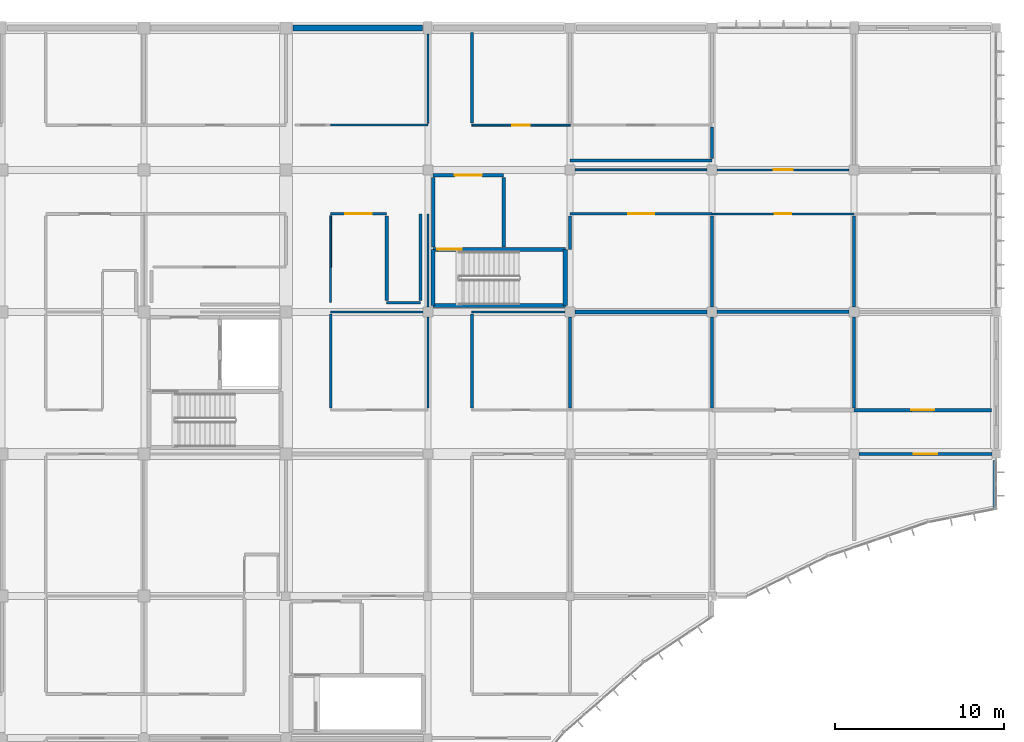
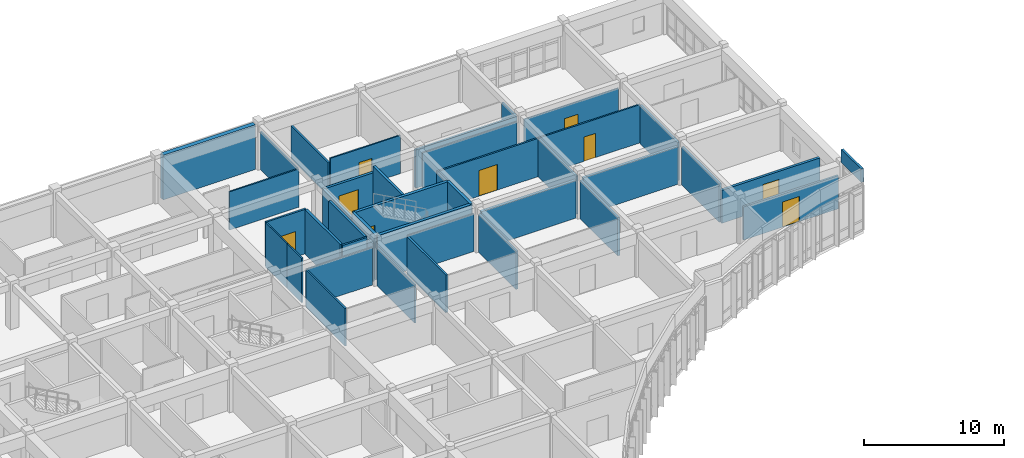
# One storey, part 99 of 119: 41 walls, 9 doors, 9 openings.
"""IFC4 building model written with IfcOpenShell, lengths in metres."""

import ifcopenshell
import ifcopenshell.guid

model = None  # the IFC model being written
_history = None  # IfcOwnerHistory: only IFC2X3 demands one
_inside = {}  # id of a spatial element -> (the spatial element, [elements in it])
_under = {}  # id of a project, library or spatial element -> (it, [spatial elements below it])
_declared = {}  # id of a project -> (the project, [libraries it declares])
_typed = {}  # id of a type object -> (the type object, [elements of that type])
_made_of = {}  # id of a material, layer set ... -> (it, [elements and type objects made of it])


def new_model(schema):
    """Start an empty IFC model of exactly this schema.

    Asked for "IFC4X3", IfcOpenShell would pick the latest addendum, in which some entities
    have other attributes; the version numbers below select the first issue.
    IFC2X3 requires an IfcOwnerHistory on every rooted entity: one is made here for all.
    """
    global model, _history
    if schema == "IFC4X3":
        model = ifcopenshell.file(schema_version=(4, 3, 0, 0))
    else:
        model = ifcopenshell.file(schema=schema)
    _inside.clear()
    _under.clear()
    _declared.clear()
    _typed.clear()
    _made_of.clear()
    _history = None
    if model.schema == "IFC2X3":
        org = make("IfcOrganization", Name="unknown")
        user = make(
            "IfcPersonAndOrganization",
            ThePerson=make("IfcPerson", FamilyName="unknown"),
            TheOrganization=org,
        )
        app = make(
            "IfcApplication",
            ApplicationDeveloper=org,
            Version="unknown",
            ApplicationFullName="unknown",
            ApplicationIdentifier="unknown",
        )
        _history = make(
            "IfcOwnerHistory",
            OwningUser=user,
            OwningApplication=app,
            ChangeAction="ADDED",
            CreationDate=0,
        )
    return model


def make(cls, **values):
    """One entity of the class cls with the attributes given. An attribute that is None is left unset."""
    return model.create_entity(
        cls, **{name: value for name, value in values.items() if value is not None}
    )


def rooted(cls, **values):
    """An entity with a GlobalId (a new one), such as an element, a storey or a relation."""
    return make(cls, GlobalId=ifcopenshell.guid.new(), OwnerHistory=_history, **values)


def si_unit(unit_type, name, prefix=None):
    """IfcSIUnit, for example si_unit("LENGTHUNIT", "METRE", prefix="MILLI")."""
    return make("IfcSIUnit", UnitType=unit_type, Prefix=prefix, Name=name)


def assignment(units):
    """IfcUnitAssignment: the units of a project."""
    return None if units is None else make("IfcUnitAssignment", Units=units)


def point(xyz):
    """IfcCartesianPoint."""
    return None if xyz is None else make("IfcCartesianPoint", Coordinates=xyz)


def direction(xyz):
    """IfcDirection."""
    return None if xyz is None else make("IfcDirection", DirectionRatios=xyz)


def frame(location, z_axis=None, x_axis=None):
    """IfcAxis2Placement3D, a coordinate frame: its origin and axes. An axis left out is left unset."""
    return make(
        "IfcAxis2Placement3D",
        Location=point(location),
        Axis=direction(z_axis),
        RefDirection=direction(x_axis),
    )


def frame_2d(location, x_axis=None):
    """IfcAxis2Placement2D, a coordinate frame in the plane: its origin and x axis."""
    return make(
        "IfcAxis2Placement2D", Location=point(location), RefDirection=direction(x_axis)
    )


def origin():
    """The frame at (0, 0, 0) with its axes left unset."""
    return frame((0.0, 0.0, 0.0))


def place(relative_to, where):
    """IfcLocalPlacement: puts the frame where relative to a parent placement (None: the world)."""
    return make(
        "IfcLocalPlacement", PlacementRelTo=relative_to, RelativePlacement=where
    )


def context(
    kind, dimensions, precision=None, world=None, true_north=None, identifier=None
):
    """IfcGeometricRepresentationContext, for example the 3D "Model" context."""
    return make(
        "IfcGeometricRepresentationContext",
        ContextIdentifier=identifier,
        ContextType=kind,
        CoordinateSpaceDimension=dimensions,
        Precision=precision,
        WorldCoordinateSystem=world,
        TrueNorth=true_north,
    )


def subcontext(parent, identifier, kind, view, scale=None):
    """IfcGeometricRepresentationSubContext, for example "Body" below "Model"."""
    return make(
        "IfcGeometricRepresentationSubContext",
        ContextIdentifier=identifier,
        ContextType=kind,
        ParentContext=parent,
        TargetScale=scale,
        TargetView=view,
    )


def project(units=None, contexts=None):
    """IfcProject with its units and contexts."""
    return rooted(
        "IfcProject",
        Name="project",
        RepresentationContexts=contexts,
        UnitsInContext=assignment(units),
    )


def spatial(cls, under=None, at=None, **own):
    """A site, building, storey or space (cls), placed at a placement, below another one or the project."""
    s = rooted(cls, ObjectPlacement=at, **own)
    if under is not None:
        _under.setdefault(under.id(), (under, []))[1].append(s)
    return s


def profile(cls, at=None, kind="AREA", **sizes):
    """A parametric profile (cls). Its sizes go by their IFC names, for example OverallWidth=200.0."""
    return make(cls, ProfileType=kind, Position=at, **sizes)


def rectangle(**sizes):
    """IfcRectangleProfileDef."""
    return profile("IfcRectangleProfileDef", **sizes)


def extrude(swept, where, along, depth):
    """IfcExtrudedAreaSolid: the profile swept, set in the frame where, extruded along a direction by depth."""
    return make(
        "IfcExtrudedAreaSolid",
        SweptArea=swept,
        Position=where,
        ExtrudedDirection=direction(along),
        Depth=depth,
    )


def shape(context_of_items, identifier, shape_type, items):
    """IfcShapeRepresentation: the items that make up one representation, for example the "Body"."""
    return make(
        "IfcShapeRepresentation",
        ContextOfItems=context_of_items,
        RepresentationIdentifier=identifier,
        RepresentationType=shape_type,
        Items=items,
    )


def material(Name=None, Category=None):
    """IfcMaterial."""
    return make("IfcMaterial", Name=Name, Category=Category)


def layer(
    of_material, thickness, ventilated=None, Name=None, Category=None, Priority=None
):
    """IfcMaterialLayer: one layer of a wall or slab, of a material (None: an air gap)."""
    return make(
        "IfcMaterialLayer",
        Material=of_material,
        LayerThickness=thickness,
        IsVentilated=ventilated,
        Name=Name,
        Category=Category,
        Priority=Priority,
    )


def layer_set(layers, Name=None):
    """IfcMaterialLayerSet."""
    return make("IfcMaterialLayerSet", MaterialLayers=layers, LayerSetName=Name)


def made_of(thing, what):
    """Note that an element or type object is made of a material, layer set ...; save() writes the relation."""
    if what is not None:
        _made_of.setdefault(what.id(), (what, []))[1].append(thing)
    return thing


def type_object(cls, material=None, **own):
    """A type object (cls), such as IfcWallType, which elements share."""
    return made_of(rooted(cls, **own), material)


def element(
    cls,
    number,
    at=None,
    inside=None,
    cuts=None,
    type_object=None,
    material=None,
    context=None,
    identifier="Body",
    shape_type=None,
    held_by="IfcProductDefinitionShape",
    body=None,
    shapes=None,
    **own,
):
    """One element of the class cls, such as IfcWall. Its Tag is "e" and its number.

    at: its placement. inside: the storey or other place that contains it. cuts: it is an
    opening in that element (IfcRelVoidsElement). A single representation is given by context,
    identifier, shape_type and body (its items); several are given by shapes. held_by: the class
    of the entity that holds the representations. save() writes the other relations.
    """
    e = rooted(cls, Tag="e%d" % number, ObjectPlacement=at, **own)
    if body is not None:
        shapes = [shape(context, identifier, shape_type, body)]
    if shapes is not None:
        e.Representation = make(held_by, Representations=shapes)
    if inside is not None:
        _inside.setdefault(inside.id(), (inside, []))[1].append(e)
    if cuts is not None:
        rooted(
            "IfcRelVoidsElement", RelatingBuildingElement=cuts, RelatedOpeningElement=e
        )
    if type_object is not None:
        _typed.setdefault(type_object.id(), (type_object, []))[1].append(e)
    return made_of(e, material)


def fill(opening, filler):
    """IfcRelFillsElement: the door or window that sits in an opening."""
    return rooted(
        "IfcRelFillsElement",
        RelatingOpeningElement=opening,
        RelatedBuildingElement=filler,
    )


def aggregate(whole, parts):
    """IfcRelAggregates: a whole, such as a stair, and the parts it consists of."""
    return rooted("IfcRelAggregates", RelatingObject=whole, RelatedObjects=parts)


def save(model, path):
    """Write the relations noted so far, then the file.

    IfcRelAggregates (storeys below a building ...), IfcRelContainedInSpatialStructure (elements
    in a storey), IfcRelDefinesByType, IfcRelAssociatesMaterial and IfcRelDeclares: one each for
    every whole, place, type object, material and project.
    """
    for whole, parts in _under.values():
        aggregate(whole, parts)
    for where, things in _inside.values():
        rooted(
            "IfcRelContainedInSpatialStructure",
            RelatedElements=things,
            RelatingStructure=where,
        )
    for kind, things in _typed.values():
        rooted("IfcRelDefinesByType", RelatedObjects=things, RelatingType=kind)
    for what, things in _made_of.values():
        rooted("IfcRelAssociatesMaterial", RelatedObjects=things, RelatingMaterial=what)
    for by, libraries in _declared.values():
        rooted("IfcRelDeclares", RelatingContext=by, RelatedDefinitions=libraries)
    model.write(path)


model = new_model("IFC4")

# Units and contexts
model_context = context("Model", 3, precision=1e-05, world=origin(), true_north=direction((0.0, 1.0)))
body_context = subcontext(model_context, "Body", "Model", "MODEL_VIEW")
ifc_project = project(units=[si_unit("LENGTHUNIT", "METRE"), si_unit("AREAUNIT", "SQUARE_METRE"), si_unit("VOLUMEUNIT", "CUBIC_METRE"), si_unit("PLANEANGLEUNIT", "RADIAN"), si_unit("MASSUNIT", "GRAM", prefix="KILO")], contexts=[model_context])

# Site, building, storey
site_placement = place(None, origin())
site = spatial("IfcSite", under=ifc_project, at=site_placement, CompositionType="ELEMENT")
building_placement = place(site_placement, origin())
building = spatial("IfcBuilding", under=site, at=building_placement, Name="Bramfleet General Hospital", CompositionType="ELEMENT")
storey_placement = place(building_placement, frame((0.0, 0.0, 14.39990234375)))
storey = spatial("IfcBuildingStorey", under=building, at=storey_placement, Name="L03", CompositionType="ELEMENT", Elevation=14.39990234375)

# Walls
ifc_material_1 = material(Name="Concrete C35/45", Category="concrete")
ifc_layer_1 = layer(ifc_material_1, 0.360107421875, Name="WT-EW-02")
ifc_layer_set_1 = layer_set([ifc_layer_1], Name="Concrete C35/45")
wall_type_1 = type_object("IfcWallType", Name="WT-EW-02", PredefinedType="SOLIDWALL", material=ifc_layer_set_1)
wall_1_placement = place(storey_placement, frame((126.425048828125, 117.60009765625, 0.0), z_axis=(0.0, 0.0, 1.0), x_axis=(1.0, 0.0, 0.0)))
element("IfcWall", 1, at=wall_1_placement, inside=storey, type_object=wall_type_1, Name="L03 North REI 90-M Party Wall 252", PredefinedType="SOLIDWALL", context=body_context, shape_type="SweptSolid", body=[
    extrude(rectangle(XDim=7.64990234375, YDim=0.360107421875, at=frame_2d((3.824951171875, 0.0))), origin(), (0.0, 0.0, 1.0), 3.900146484375),
])
ifc_layer_2 = layer(ifc_material_1, 0.219970703125, Name="WT-IW-01")
ifc_layer_set_2 = layer_set([ifc_layer_2], Name="Concrete C35/45")
wall_type_2 = type_object("IfcWallType", Name="WT-IW-01", PredefinedType="PARTITIONING", material=ifc_layer_set_2)
wall_2_placement = place(storey_placement, frame((143.094970703125, 100.800048828125, 0.0), z_axis=(0.0, 0.0, 1.0), x_axis=(1.0, 0.0, 0.0)))
element("IfcWall", 2, at=wall_2_placement, inside=storey, type_object=wall_type_2, Name="L03 Interior Partition IW-L03-2701", PredefinedType="PARTITIONING", context=body_context, shape_type="SweptSolid", body=[
    extrude(rectangle(XDim=7.81005859375, YDim=0.219970703125, at=frame_2d((3.905029296875, 0.0))), origin(), (0.0, 0.0, 1.0), 3.2900390625),
])
ifc_layer_3 = layer(ifc_material_1, 0.205078125, Name="WT-IW-02")
ifc_layer_set_3 = layer_set([ifc_layer_3], Name="Concrete C35/45")
wall_type_3 = type_object("IfcWallType", Name="WT-IW-02", PredefinedType="PARTITIONING", material=ifc_layer_set_3)
wall_3_placement = place(storey_placement, frame((138.8798828125, 104.639892578125, 0.0), z_axis=(0.0, 0.0, 1.0), x_axis=(0.0, 1.0, 0.0)))
element("IfcWall", 3, at=wall_3_placement, inside=storey, type_object=wall_type_3, Name="L03 C9 Lobby East Shaft Wall", PredefinedType="PARTITIONING", context=body_context, shape_type="SweptSolid", body=[
    extrude(rectangle(XDim=4.1201171875, YDim=0.205078125, at=frame_2d((2.06005859375, 0.0))), origin(), (0.0, 0.0, 1.0), 3.89013671875),
])
wall_4_placement = place(storey_placement, frame((134.699951171875, 104.639892578125, 0.0), z_axis=(0.0, 0.0, 1.0), x_axis=(0.0, 1.0, 0.0)))
element("IfcWall", 4, at=wall_4_placement, inside=storey, type_object=wall_type_3, Name="L03 C9 Lobby West Compartment Wall", PredefinedType="PARTITIONING", context=body_context, shape_type="SweptSolid", body=[
    extrude(rectangle(XDim=4.1201171875, YDim=0.205078125, at=frame_2d((2.06005859375, 0.0))), origin(), (0.0, 0.0, 1.0), 3.340087890625),
])

# Wall, opening, door
wall_5_placement = place(storey_placement, frame((134.699951171875, 108.8798828125, 0.0), z_axis=(0.0, 0.0, 1.0), x_axis=(1.0, 0.0, 0.0)))
wall_5 = element("IfcWall", 5, at=wall_5_placement, inside=storey, type_object=wall_type_3, Name="L03 C9 Lobby North Compartment Wall", PredefinedType="PARTITIONING", context=body_context, shape_type="SweptSolid", body=[
    extrude(rectangle(XDim=4.179931640625, YDim=0.205078125, at=frame_2d((2.08984375, 0.0))), origin(), (0.0, 0.0, 1.0), 3.2900390625),
])
opening_1_placement = place(wall_5_placement, frame((1.2900390625, 0.0, 0.0)))
opening_1 = element("IfcOpeningElement", 6, at=opening_1_placement, cuts=wall_5, Name="Opening D0116", PredefinedType="OPENING", context=body_context, shape_type="SweptSolid", body=[
    extrude(rectangle(XDim=1.60009765625, YDim=2.25, at=frame_2d((0.800048828125, 1.125))), frame((0.0, 0.112548828125, 0.0), z_axis=(0.0, -1.0, 0.0), x_axis=(1.0, 0.0, 0.0)), (0.0, 0.0, 1.0), 0.22509765625),
])
ifc_material_2 = material(Name="Stainless steel and acoustic timber leaf", Category="steel")
door_type_1 = type_object("IfcDoorType", Name="DR-D-04", OperationType="NOTDEFINED", PredefinedType="DOOR", material=ifc_material_2)
door_1_placement = place(opening_1_placement, origin())
door_1 = element("IfcDoor", 7, at=door_1_placement, inside=storey, type_object=door_type_1, Name="L03 C9 Lobby Fire Door D0116", OperationType="DOUBLE_SWING_LEFT", OverallHeight=2.25, OverallWidth=1.60009765625, PredefinedType="DOOR", context=body_context, shape_type="SweptSolid", body=[
    extrude(rectangle(XDim=1.60009765625, YDim=2.25, at=frame_2d((0.800048828125, 1.125))), frame((0.0, 0.02490234375, 0.0), z_axis=(0.0, -1.0, 0.0), x_axis=(1.0, 0.0, 0.0)), (0.0, 0.0, 1.0), 0.050048828125),
])
fill(opening_1, door_1)

wall_6_placement = place(storey_placement, frame((159.60009765625, 95.0, 0.0), z_axis=(0.0, 0.0, 1.0), x_axis=(1.0, 0.0, 0.0)))
wall_6 = element("IfcWall", 8, at=wall_6_placement, inside=storey, type_object=wall_type_3, Name="L03 Interior Partition IW-L03-2678", PredefinedType="PARTITIONING", context=body_context, shape_type="SweptSolid", body=[
    extrude(rectangle(XDim=8.119873046875, YDim=0.205078125, at=frame_2d((4.06005859375, 0.0))), origin(), (0.0, 0.0, 1.0), 2.89013671875),
])
opening_2_placement = place(wall_6_placement, frame((3.385009765625, 0.0, 0.0)))
opening_2 = element("IfcOpeningElement", 9, at=opening_2_placement, cuts=wall_6, Name="Opening D1218", PredefinedType="OPENING", context=body_context, shape_type="SweptSolid", body=[
    extrude(rectangle(XDim=1.35009765625, YDim=2.199951171875, at=frame_2d((0.675048828125, 1.10009765625))), frame((0.0, 0.112548828125, 0.0), z_axis=(0.0, -1.0, 0.0), x_axis=(1.0, 0.0, 0.0)), (0.0, 0.0, 1.0), 0.22509765625),
])
door_type_2 = type_object("IfcDoorType", Name="DR-D-02", OperationType="NOTDEFINED", PredefinedType="DOOR", material=ifc_material_2)
door_2_placement = place(opening_2_placement, origin())
door_2 = element("IfcDoor", 10, at=door_2_placement, inside=storey, type_object=door_type_2, Name="Maternity Delivery Suite and Clinical Lab L03-1911 Door D1218", OperationType="SINGLE_SWING_LEFT", OverallHeight=2.199951171875, OverallWidth=1.35009765625, PredefinedType="DOOR", context=body_context, shape_type="SweptSolid", body=[
    extrude(rectangle(XDim=1.35009765625, YDim=2.199951171875, at=frame_2d((0.675048828125, 1.10009765625))), frame((0.0, 0.02490234375, 0.0), z_axis=(0.0, -1.0, 0.0), x_axis=(1.0, 0.0, 0.0)), (0.0, 0.0, 1.0), 0.050048828125),
])
fill(opening_2, door_2)

# Walls
wall_7_placement = place(storey_placement, frame((151.4951171875, 100.800048828125, 0.0), z_axis=(0.0, 0.0, 1.0), x_axis=(1.0, 0.0, 0.0)))
element("IfcWall", 11, at=wall_7_placement, inside=storey, type_object=wall_type_3, Name="L03 Interior Partition IW-L03-2702", PredefinedType="PARTITIONING", context=body_context, shape_type="SweptSolid", body=[
    extrude(rectangle(XDim=7.809814453125, YDim=0.205078125, at=frame_2d((3.90478515625, 0.0))), origin(), (0.0, 0.0, 1.0), 3.2900390625),
])
wall_8_placement = place(storey_placement, frame((131.949951171875, 101.465087890625, 0.0), z_axis=(0.0, 0.0, 1.0), x_axis=(0.0, 1.0, 0.0)))
element("IfcWall", 12, at=wall_8_placement, inside=storey, type_object=wall_type_3, Name="L03 Interior Partition IW-L03-3014", PredefinedType="PARTITIONING", context=body_context, shape_type="SweptSolid", body=[
    extrude(rectangle(XDim=5.02001953125, YDim=0.205078125, at=frame_2d((2.510009765625, 0.0))), origin(), (0.0, 0.0, 1.0), 3.89013671875),
])
ifc_layer_4 = layer(ifc_material_1, 0.18994140625, Name="WT-IW-03")
ifc_layer_set_4 = layer_set([ifc_layer_4], Name="Concrete C35/45")
wall_type_4 = type_object("IfcWallType", Name="WT-IW-03", PredefinedType="PARTITIONING", material=ifc_layer_set_4)
wall_9_placement = place(storey_placement, frame((142.800048828125, 109.75, 0.0), z_axis=(0.0, 0.0, 1.0), x_axis=(1.0, 0.0, 0.0)))
element("IfcWall", 13, at=wall_9_placement, inside=storey, type_object=wall_type_4, Name="L03 Interior Partition IW-L03-2751", PredefinedType="PARTITIONING", context=body_context, shape_type="SweptSolid", body=[
    extrude(rectangle(XDim=8.39990234375, YDim=0.18994140625, at=frame_2d((4.199951171875, 0.0))), origin(), (0.0, 0.0, 1.0), 3.340087890625),
])
wall_10_placement = place(storey_placement, frame((133.949951171875, 101.465087890625, 0.0), z_axis=(0.0, 0.0, 1.0), x_axis=(0.0, 1.0, 0.0)))
element("IfcWall", 14, at=wall_10_placement, inside=storey, type_object=wall_type_4, Name="L03 Interior Partition IW-L03-3015", PredefinedType="PARTITIONING", context=body_context, shape_type="SweptSolid", body=[
    extrude(rectangle(XDim=5.135009765625, YDim=0.18994140625, at=frame_2d((2.5673828125, 0.0))), origin(), (0.0, 0.0, 1.0), 3.89013671875),
])
for number, where, z_axis, x_axis, name in (
    (15, (151.199951171875, 95.114990234375, 0.0), (0.0, 0.0, 1.0), (0.0, 1.0, 0.0), "L03 Interior Partition IW-L03-3051"),
    (16, (159.60009765625, 95.114990234375, 0.0), (0.0, 0.0, 1.0), (0.0, 1.0, 0.0), "L03 Interior Partition IW-L03-3063"),
):
    element("IfcWall", number, at=place(storey_placement, frame(where, z_axis=z_axis, x_axis=x_axis)), inside=storey, type_object=wall_type_4, Name=name, PredefinedType="PARTITIONING", context=body_context, shape_type="SweptSolid", body=[
        extrude(rectangle(XDim=5.389892578125, YDim=0.18994140625, at=frame_2d((2.69482421875, 0.0))), origin(), (0.0, 0.0, 1.0), 3.340087890625),
    ])
ifc_layer_5 = layer(ifc_material_1, 0.179931640625, Name="WT-IW-04")
ifc_layer_set_5 = layer_set([ifc_layer_5], Name="Concrete C35/45")
wall_type_5 = type_object("IfcWallType", Name="WT-IW-04", PredefinedType="PARTITIONING", material=ifc_layer_set_5)
wall_11_placement = place(storey_placement, frame((142.800048828125, 95.114990234375, 0.0), z_axis=(0.0, 0.0, 1.0), x_axis=(0.0, 1.0, 0.0)))
element("IfcWall", 17, at=wall_11_placement, inside=storey, type_object=wall_type_5, Name="L03 Interior Partition IW-L03-3040", PredefinedType="PARTITIONING", context=body_context, shape_type="SweptSolid", body=[
    extrude(rectangle(XDim=5.389892578125, YDim=0.179931640625, at=frame_2d((2.69482421875, 0.0))), origin(), (0.0, 0.0, 1.0), 3.340087890625),
])
for number, where, z_axis, x_axis, name in (
    (18, (151.199951171875, 101.094970703125, 0.0), (0.0, 0.0, 1.0), (0.0, 1.0, 0.0), "L03 Interior Partition IW-L03-3052"),
    (19, (159.60009765625, 101.094970703125, 0.0), (0.0, 0.0, 1.0), (0.0, 1.0, 0.0), "L03 Interior Partition IW-L03-3064"),
):
    element("IfcWall", number, at=place(storey_placement, frame(where, z_axis=z_axis, x_axis=x_axis)), inside=storey, type_object=wall_type_5, Name=name, PredefinedType="PARTITIONING", context=body_context, shape_type="SweptSolid", body=[
        extrude(rectangle(XDim=5.39013671875, YDim=0.179931640625, at=frame_2d((2.695068359375, 0.0))), origin(), (0.0, 0.0, 1.0), 3.340087890625),
    ])

# Wall, opening, door
ifc_material_3 = material(Name="Gypsum plasterboard on acoustic steel studs", Category="steel")
ifc_layer_6 = layer(ifc_material_3, 0.169921875, Name="WT-IW-05")
ifc_layer_set_6 = layer_set([ifc_layer_6], Name="Gypsum plasterboard on acoustic steel studs")
wall_type_6 = type_object("IfcWallType", Name="WT-IW-05", PredefinedType="PARTITIONING", material=ifc_layer_set_6)
wall_12_placement = place(storey_placement, frame((159.89501953125, 92.39990234375, 0.0), z_axis=(0.0, 0.0, 1.0), x_axis=(1.0, 0.0, 0.0)))
wall_12 = element("IfcWall", 20, at=wall_12_placement, inside=storey, type_object=wall_type_6, Name="L03 Interior Partition IW-L03-2657", PredefinedType="PARTITIONING", context=body_context, shape_type="SweptSolid", body=[
    extrude(rectangle(XDim=7.85986328125, YDim=0.169921875, at=frame_2d((3.929931640625, 0.0))), origin(), (0.0, 0.0, 1.0), 2.89013671875),
])
opening_3_placement = place(wall_12_placement, frame((3.22998046875, 0.0, 0.0)))
opening_3 = element("IfcOpeningElement", 21, at=opening_3_placement, cuts=wall_12, Name="Opening D1217", PredefinedType="OPENING", context=body_context, shape_type="SweptSolid", body=[
    extrude(rectangle(XDim=1.39990234375, YDim=2.199951171875, at=frame_2d((0.699951171875, 1.10009765625))), frame((0.0, 0.094970703125, 0.0), z_axis=(0.0, -1.0, 0.0), x_axis=(1.0, 0.0, 0.0)), (0.0, 0.0, 1.0), 0.18994140625),
])
door_type_3 = type_object("IfcDoorType", Name="DR-D-01", OperationType="NOTDEFINED", PredefinedType="DOOR", material=ifc_material_2)
door_3_placement = place(opening_3_placement, origin())
door_3 = element("IfcDoor", 22, at=door_3_placement, inside=storey, type_object=door_type_3, Name="Maternity Delivery Suite and Clinical Lab L03-1910 Door D1217", OperationType="SINGLE_SWING_RIGHT", OverallHeight=2.199951171875, OverallWidth=1.39990234375, PredefinedType="DOOR", context=body_context, shape_type="SweptSolid", body=[
    extrude(rectangle(XDim=1.39990234375, YDim=2.199951171875, at=frame_2d((0.699951171875, 1.10009765625))), frame((0.0, 0.02490234375, 0.0), z_axis=(0.0, -1.0, 0.0), x_axis=(1.0, 0.0, 0.0)), (0.0, 0.0, 1.0), 0.050048828125),
])
fill(opening_3, door_3)

# Walls
wall_13_placement = place(storey_placement, frame((137.0, 95.114990234375, 0.0), z_axis=(0.0, 0.0, 1.0), x_axis=(0.0, 1.0, 0.0)))
element("IfcWall", 23, at=wall_13_placement, inside=storey, type_object=wall_type_6, Name="L03 Interior Partition IW-L03-3029", PredefinedType="PARTITIONING", context=body_context, shape_type="SweptSolid", body=[
    extrude(rectangle(XDim=5.570068359375, YDim=0.169921875, at=frame_2d((2.78515625, 0.0))), origin(), (0.0, 0.0, 1.0), 3.2900390625),
])
wall_14_placement = place(storey_placement, frame((142.800048828125, 104.5, 0.0), z_axis=(0.0, 0.0, 1.0), x_axis=(0.0, 1.0, 0.0)))
element("IfcWall", 24, at=wall_14_placement, inside=storey, type_object=wall_type_6, Name="L03 Interior Partition IW-L03-3041", PredefinedType="PARTITIONING", context=body_context, shape_type="SweptSolid", body=[
    extrude(rectangle(XDim=1.985107421875, YDim=0.169921875, at=frame_2d((0.99267578125, 0.0))), origin(), (0.0, 0.0, 1.0), 3.340087890625),
])
wall_15_placement = place(storey_placement, frame((151.199951171875, 109.864990234375, 0.0), z_axis=(0.0, 0.0, 1.0), x_axis=(0.0, 1.0, 0.0)))
element("IfcWall", 25, at=wall_15_placement, inside=storey, type_object=wall_type_6, Name="L03 Interior Partition IW-L03-3053", PredefinedType="PARTITIONING", context=body_context, shape_type="SweptSolid", body=[
    extrude(rectangle(XDim=1.8701171875, YDim=0.169921875, at=frame_2d((0.93505859375, 0.0))), origin(), (0.0, 0.0, 1.0), 3.340087890625),
])
ifc_layer_7 = layer(ifc_material_3, 0.159912109375, Name="WT-IW-06")
ifc_layer_set_7 = layer_set([ifc_layer_7], Name="Gypsum plasterboard on acoustic steel studs")
wall_type_7 = type_object("IfcWallType", Name="WT-IW-06", PredefinedType="PARTITIONING", material=ifc_layer_set_7)
wall_16_placement = place(storey_placement, frame((137.0, 111.965087890625, 0.0), z_axis=(0.0, 0.0, 1.0), x_axis=(0.0, 1.0, 0.0)))
element("IfcWall", 26, at=wall_16_placement, inside=storey, type_object=wall_type_7, Name="L03 Interior Partition IW-L03-3030", PredefinedType="PARTITIONING", context=body_context, shape_type="SweptSolid", body=[
    extrude(rectangle(XDim=5.35498046875, YDim=0.159912109375, at=frame_2d((2.677490234375, 0.0))), origin(), (0.0, 0.0, 1.0), 2.89013671875),
])
ifc_layer_8 = layer(ifc_material_3, 0.14990234375, Name="WT-IW-07")
ifc_layer_set_8 = layer_set([ifc_layer_8], Name="Gypsum plasterboard on acoustic steel studs")
wall_type_8 = type_object("IfcWallType", Name="WT-IW-07", PredefinedType="PARTITIONING", material=ifc_layer_set_8)
wall_17_placement = place(storey_placement, frame((131.949951171875, 101.35009765625, 0.0), z_axis=(0.0, 0.0, 1.0), x_axis=(1.0, 0.0, 0.0)))
element("IfcWall", 27, at=wall_17_placement, inside=storey, type_object=wall_type_8, Name="L03 Interior Partition IW-L03-2707", PredefinedType="PARTITIONING", context=body_context, shape_type="SweptSolid", body=[
    extrude(rectangle(XDim=2.0, YDim=0.14990234375, at=frame_2d((1.0, 0.0))), origin(), (0.0, 0.0, 1.0), 3.89013671875),
])

# Wall, opening, door
wall_18_placement = place(storey_placement, frame((128.64990234375, 106.60009765625, 0.0), z_axis=(0.0, 0.0, 1.0), x_axis=(1.0, 0.0, 0.0)))
wall_18 = element("IfcWall", 28, at=wall_18_placement, inside=storey, type_object=wall_type_8, Name="L03 Interior Partition IW-L03-2731", PredefinedType="PARTITIONING", context=body_context, shape_type="SweptSolid", body=[
    extrude(rectangle(XDim=3.300048828125, YDim=0.14990234375, at=frame_2d((1.64990234375, 0.0))), origin(), (0.0, 0.0, 1.0), 3.89013671875),
])
opening_4_placement = place(wall_18_placement, frame((0.860107421875, 0.0, 0.0)))
opening_4 = element("IfcOpeningElement", 29, at=opening_4_placement, cuts=wall_18, Name="Opening D1184", PredefinedType="OPENING", context=body_context, shape_type="SweptSolid", body=[
    extrude(rectangle(XDim=1.580078125, YDim=2.219970703125, at=frame_2d((0.7900390625, 1.10986328125))), frame((0.0, 0.0849609375, 0.0), z_axis=(0.0, -1.0, 0.0), x_axis=(1.0, 0.0, 0.0)), (0.0, 0.0, 1.0), 0.169921875),
])
door_type_4 = type_object("IfcDoorType", Name="DR-D-32", OperationType="NOTDEFINED", PredefinedType="DOOR", material=ifc_material_2)
door_4_placement = place(opening_4_placement, origin())
door_4 = element("IfcDoor", 30, at=door_4_placement, inside=storey, type_object=door_type_4, Name="Maternity Delivery Suite and Clinical Lab L03-1512 Door D1184", OperationType="DOUBLE_SWING_LEFT", OverallHeight=2.219970703125, OverallWidth=1.580078125, PredefinedType="DOOR", context=body_context, shape_type="SweptSolid", body=[
    extrude(rectangle(XDim=1.580078125, YDim=2.219970703125, at=frame_2d((0.7900390625, 1.10986328125))), frame((0.0, 0.02490234375, 0.0), z_axis=(0.0, -1.0, 0.0), x_axis=(1.0, 0.0, 0.0)), (0.0, 0.0, 1.0), 0.050048828125),
])
fill(opening_4, door_4)

ifc_layer_9 = layer(ifc_material_3, 0.139892578125, Name="WT-IW-08")
ifc_layer_set_9 = layer_set([ifc_layer_9], Name="Gypsum plasterboard on acoustic steel studs")
wall_type_9 = type_object("IfcWallType", Name="WT-IW-08", PredefinedType="PARTITIONING", material=ifc_layer_set_9)
wall_19_placement = place(storey_placement, frame((142.800048828125, 106.60009765625, 0.0), z_axis=(0.0, 0.0, 1.0), x_axis=(1.0, 0.0, 0.0)))
wall_19 = element("IfcWall", 31, at=wall_19_placement, inside=storey, type_object=wall_type_9, Name="L03 Interior Partition IW-L03-2732", PredefinedType="PARTITIONING", context=body_context, shape_type="SweptSolid", body=[
    extrude(rectangle(XDim=8.39990234375, YDim=0.139892578125, at=frame_2d((4.199951171875, 0.0))), origin(), (0.0, 0.0, 1.0), 3.340087890625),
])
opening_5_placement = place(wall_19_placement, frame((3.429931640625, 0.0, 0.0)))
opening_5 = element("IfcOpeningElement", 32, at=opening_5_placement, cuts=wall_19, Name="Opening D1201", PredefinedType="OPENING", context=body_context, shape_type="SweptSolid", body=[
    extrude(rectangle(XDim=1.5400390625, YDim=2.239990234375, at=frame_2d((0.77001953125, 1.1201171875))), frame((0.0, 0.079833984375, 0.0), z_axis=(0.0, -1.0, 0.0), x_axis=(1.0, 0.0, 0.0)), (0.0, 0.0, 1.0), 0.159912109375),
])
door_type_5 = type_object("IfcDoorType", Name="DR-D-17", OperationType="NOTDEFINED", PredefinedType="DOOR", material=ifc_material_2)
door_5_placement = place(opening_5_placement, origin())
door_5 = element("IfcDoor", 33, at=door_5_placement, inside=storey, type_object=door_type_5, Name="Maternity Delivery Suite and Clinical Lab L03-1712 Door D1201", OperationType="SINGLE_SWING_RIGHT", OverallHeight=2.239990234375, OverallWidth=1.5400390625, PredefinedType="DOOR", context=body_context, shape_type="SweptSolid", body=[
    extrude(rectangle(XDim=1.5400390625, YDim=2.239990234375, at=frame_2d((0.77001953125, 1.1201171875))), frame((0.0, 0.02490234375, 0.0), z_axis=(0.0, -1.0, 0.0), x_axis=(1.0, 0.0, 0.0)), (0.0, 0.0, 1.0), 0.050048828125),
])
fill(opening_5, door_5)

ifc_layer_10 = layer(ifc_material_3, 0.1298828125, Name="WT-IW-09")
ifc_layer_set_10 = layer_set([ifc_layer_10], Name="Gypsum plasterboard on acoustic steel studs")
wall_type_10 = type_object("IfcWallType", Name="WT-IW-09", PredefinedType="PARTITIONING", material=ifc_layer_set_10)
wall_20_placement = place(storey_placement, frame((151.199951171875, 106.60009765625, 0.0), z_axis=(0.0, 0.0, 1.0), x_axis=(1.0, 0.0, 0.0)))
wall_20 = element("IfcWall", 34, at=wall_20_placement, inside=storey, type_object=wall_type_10, Name="L03 Interior Partition IW-L03-2733", PredefinedType="PARTITIONING", context=body_context, shape_type="SweptSolid", body=[
    extrude(rectangle(XDim=8.400146484375, YDim=0.1298828125, at=frame_2d((4.2001953125, 0.0))), origin(), (0.0, 0.0, 1.0), 3.340087890625),
])
opening_6_placement = place(wall_20_placement, frame((3.7099609375, 0.0, 0.0)))
opening_6 = element("IfcOpeningElement", 35, at=opening_6_placement, cuts=wall_20, Name="Opening D1210", PredefinedType="OPENING", context=body_context, shape_type="SweptSolid", body=[
    extrude(rectangle(XDim=0.97998046875, YDim=2.1201171875, at=frame_2d((0.489990234375, 1.06005859375))), frame((0.0, 0.074951171875, 0.0), z_axis=(0.0, -1.0, 0.0), x_axis=(1.0, 0.0, 0.0)), (0.0, 0.0, 1.0), 0.14990234375),
])
door_type_6 = type_object("IfcDoorType", Name="DR-D-26", OperationType="NOTDEFINED", PredefinedType="DOOR", material=ifc_material_2)
door_6_placement = place(opening_6_placement, origin())
door_6 = element("IfcDoor", 36, at=door_6_placement, inside=storey, type_object=door_type_6, Name="Maternity Delivery Suite and Clinical Lab L03-1812 Door D1210", OperationType="SINGLE_SWING_LEFT", OverallHeight=2.1201171875, OverallWidth=0.97998046875, PredefinedType="DOOR", context=body_context, shape_type="SweptSolid", body=[
    extrude(rectangle(XDim=0.97998046875, YDim=2.1201171875, at=frame_2d((0.489990234375, 1.06005859375))), frame((0.0, 0.02490234375, 0.0), z_axis=(0.0, -1.0, 0.0), x_axis=(1.0, 0.0, 0.0)), (0.0, 0.0, 1.0), 0.050048828125),
])
fill(opening_6, door_6)

# Walls
wall_21_placement = place(storey_placement, frame((128.64990234375, 95.114990234375, 0.0), z_axis=(0.0, 0.0, 1.0), x_axis=(0.0, 1.0, 0.0)))
element("IfcWall", 37, at=wall_21_placement, inside=storey, type_object=wall_type_10, Name="L03 Interior Partition IW-L03-3009", PredefinedType="PARTITIONING", context=body_context, shape_type="SweptSolid", body=[
    extrude(rectangle(XDim=5.570068359375, YDim=0.1298828125, at=frame_2d((2.78515625, 0.0))), origin(), (0.0, 0.0, 1.0), 3.2900390625),
])
wall_22_placement = place(storey_placement, frame((134.39990234375, 95.114990234375, 0.0), z_axis=(0.0, 0.0, 1.0), x_axis=(0.0, 1.0, 0.0)))
element("IfcWall", 38, at=wall_22_placement, inside=storey, type_object=wall_type_10, Name="L03 Interior Partition IW-L03-3021", PredefinedType="PARTITIONING", context=body_context, shape_type="SweptSolid", body=[
    extrude(rectangle(XDim=5.389892578125, YDim=0.1298828125, at=frame_2d((2.69482421875, 0.0))), origin(), (0.0, 0.0, 1.0), 3.340087890625),
])
ifc_layer_11 = layer(ifc_material_3, 0.1201171875, Name="WT-IW-10")
ifc_layer_set_11 = layer_set([ifc_layer_11], Name="Gypsum plasterboard on acoustic steel studs")
wall_type_11 = type_object("IfcWallType", Name="WT-IW-10", PredefinedType="PARTITIONING", material=ifc_layer_set_11)
wall_23_placement = place(storey_placement, frame((128.64990234375, 111.85009765625, 0.0), z_axis=(0.0, 0.0, 1.0), x_axis=(1.0, 0.0, 0.0)))
element("IfcWall", 39, at=wall_23_placement, inside=storey, type_object=wall_type_11, Name="L03 Interior Partition IW-L03-2758", PredefinedType="PARTITIONING", context=body_context, shape_type="SweptSolid", body=[
    extrude(rectangle(XDim=5.75, YDim=0.1201171875, at=frame_2d((2.875, 0.0))), origin(), (0.0, 0.0, 1.0), 3.340087890625),
])
wall_24_placement = place(storey_placement, frame((128.64990234375, 101.35009765625, 0.0), z_axis=(0.0, 0.0, 1.0), x_axis=(0.0, 1.0, 0.0)))
element("IfcWall", 40, at=wall_24_placement, inside=storey, type_object=wall_type_11, Name="L03 Interior Partition IW-L03-3010", PredefinedType="PARTITIONING", context=body_context, shape_type="SweptSolid", body=[
    extrude(rectangle(XDim=2.099853515625, YDim=0.1201171875, at=frame_2d((1.0498046875, 0.0))), origin(), (0.0, 0.0, 1.0), 3.89013671875),
])
wall_25_placement = place(storey_placement, frame((134.39990234375, 101.094970703125, 0.0), z_axis=(0.0, 0.0, 1.0), x_axis=(0.0, 1.0, 0.0)))
element("IfcWall", 41, at=wall_25_placement, inside=storey, type_object=wall_type_11, Name="L03 Interior Partition IW-L03-3022", PredefinedType="PARTITIONING", context=body_context, shape_type="SweptSolid", body=[
    extrude(rectangle(XDim=5.505126953125, YDim=0.1201171875, at=frame_2d((2.75244140625, 0.0))), origin(), (0.0, 0.0, 1.0), 3.340087890625),
])
ifc_layer_12 = layer(ifc_material_3, 0.112060546875, Name="WT-IW-11")
ifc_layer_set_12 = layer_set([ifc_layer_12], Name="Gypsum plasterboard on acoustic steel studs")
wall_type_12 = type_object("IfcWallType", Name="WT-IW-11", PredefinedType="PARTITIONING", material=ifc_layer_set_12)
wall_26_placement = place(storey_placement, frame((128.64990234375, 100.800048828125, 0.0), z_axis=(0.0, 0.0, 1.0), x_axis=(1.0, 0.0, 0.0)))
element("IfcWall", 42, at=wall_26_placement, inside=storey, type_object=wall_type_12, Name="L03 Interior Partition IW-L03-2699", PredefinedType="PARTITIONING", context=body_context, shape_type="SweptSolid", body=[
    extrude(rectangle(XDim=5.455078125, YDim=0.112060546875, at=frame_2d((2.7275390625, 0.0))), origin(), (0.0, 0.0, 1.0), 3.2900390625),
])
wall_27_placement = place(storey_placement, frame((143.094970703125, 109.199951171875, 0.0), z_axis=(0.0, 0.0, 1.0), x_axis=(1.0, 0.0, 0.0)))
element("IfcWall", 43, at=wall_27_placement, inside=storey, type_object=wall_type_12, Name="L03 Interior Partition IW-L03-2747", PredefinedType="PARTITIONING", context=body_context, shape_type="SweptSolid", body=[
    extrude(rectangle(XDim=7.81005859375, YDim=0.112060546875, at=frame_2d((3.905029296875, 0.0))), origin(), (0.0, 0.0, 1.0), 3.2900390625),
])

# Wall, opening, door
wall_28_placement = place(storey_placement, frame((137.0, 111.85009765625, 0.0), z_axis=(0.0, 0.0, 1.0), x_axis=(1.0, 0.0, 0.0)))
wall_28 = element("IfcWall", 44, at=wall_28_placement, inside=storey, type_object=wall_type_12, Name="L03 Interior Partition IW-L03-2759", PredefinedType="PARTITIONING", context=body_context, shape_type="SweptSolid", body=[
    extrude(rectangle(XDim=5.800048828125, YDim=0.112060546875, at=frame_2d((2.89990234375, 0.0))), origin(), (0.0, 0.0, 1.0), 3.340087890625),
])
opening_7_placement = place(wall_28_placement, frame((2.375, 0.0, 0.0)))
opening_7 = element("IfcOpeningElement", 45, at=opening_7_placement, cuts=wall_28, Name="Opening D1193", PredefinedType="OPENING", context=body_context, shape_type="SweptSolid", body=[
    extrude(rectangle(XDim=1.050048828125, YDim=2.14990234375, at=frame_2d((0.52490234375, 1.074951171875))), frame((0.0, 0.06591796875, 0.0), z_axis=(0.0, -1.0, 0.0), x_axis=(1.0, 0.0, 0.0)), (0.0, 0.0, 1.0), 0.132080078125),
])
door_type_7 = type_object("IfcDoorType", Name="DR-D-09", OperationType="NOTDEFINED", PredefinedType="DOOR", material=ifc_material_2)
door_7_placement = place(opening_7_placement, origin())
door_7 = element("IfcDoor", 46, at=door_7_placement, inside=storey, type_object=door_type_7, Name="Maternity Delivery Suite and Clinical Lab L03-1613 Door D1193", OperationType="SINGLE_SWING_RIGHT", OverallHeight=2.14990234375, OverallWidth=1.050048828125, PredefinedType="DOOR", context=body_context, shape_type="SweptSolid", body=[
    extrude(rectangle(XDim=1.050048828125, YDim=2.14990234375, at=frame_2d((0.52490234375, 1.074951171875))), frame((0.0, 0.02490234375, 0.0), z_axis=(0.0, -1.0, 0.0), x_axis=(1.0, 0.0, 0.0)), (0.0, 0.0, 1.0), 0.050048828125),
])
fill(opening_7, door_7)

# Walls
wall_29_placement = place(storey_placement, frame((128.64990234375, 103.449951171875, 0.0), z_axis=(0.0, 0.0, 1.0), x_axis=(0.0, 1.0, 0.0)))
element("IfcWall", 47, at=wall_29_placement, inside=storey, type_object=wall_type_12, Name="L03 Interior Partition IW-L03-3011", PredefinedType="PARTITIONING", context=body_context, shape_type="SweptSolid", body=[
    extrude(rectangle(XDim=3.03515625, YDim=0.112060546875, at=frame_2d((1.517578125, 0.0))), origin(), (0.0, 0.0, 1.0), 3.89013671875),
])
wall_30_placement = place(storey_placement, frame((134.39990234375, 111.965087890625, 0.0), z_axis=(0.0, 0.0, 1.0), x_axis=(0.0, 1.0, 0.0)))
element("IfcWall", 48, at=wall_30_placement, inside=storey, type_object=wall_type_12, Name="L03 Interior Partition IW-L03-3023", PredefinedType="PARTITIONING", context=body_context, shape_type="SweptSolid", body=[
    extrude(rectangle(XDim=5.264892578125, YDim=0.112060546875, at=frame_2d((2.63232421875, 0.0))), origin(), (0.0, 0.0, 1.0), 3.340087890625),
])
ifc_layer_13 = layer(ifc_material_3, 0.10009765625, Name="WT-IW-12")
ifc_layer_set_13 = layer_set([ifc_layer_13], Name="Gypsum plasterboard on acoustic steel studs")
wall_type_13 = type_object("IfcWallType", Name="WT-IW-12", PredefinedType="PARTITIONING", material=ifc_layer_set_13)
wall_31_placement = place(storey_placement, frame((137.0, 100.800048828125, 0.0), z_axis=(0.0, 0.0, 1.0), x_axis=(1.0, 0.0, 0.0)))
element("IfcWall", 49, at=wall_31_placement, inside=storey, type_object=wall_type_13, Name="L03 Interior Partition IW-L03-2700", PredefinedType="PARTITIONING", context=body_context, shape_type="SweptSolid", body=[
    extrude(rectangle(XDim=5.5048828125, YDim=0.10009765625, at=frame_2d((2.75244140625, 0.0))), origin(), (0.0, 0.0, 1.0), 3.2900390625),
])

# Wall, opening, door
wall_32_placement = place(storey_placement, frame((151.4951171875, 109.199951171875, 0.0), z_axis=(0.0, 0.0, 1.0), x_axis=(1.0, 0.0, 0.0)))
wall_32 = element("IfcWall", 50, at=wall_32_placement, inside=storey, type_object=wall_type_13, Name="L03 Interior Partition IW-L03-2748", PredefinedType="PARTITIONING", context=body_context, shape_type="SweptSolid", body=[
    extrude(rectangle(XDim=7.809814453125, YDim=0.10009765625, at=frame_2d((3.90478515625, 0.0))), origin(), (0.0, 0.0, 1.0), 3.2900390625),
])
opening_8_placement = place(wall_32_placement, frame((3.344970703125, 0.0, 0.0)))
opening_8 = element("IfcOpeningElement", 51, at=opening_8_placement, cuts=wall_32, Name="Opening D1211", PredefinedType="OPENING", context=body_context, shape_type="SweptSolid", body=[
    extrude(rectangle(XDim=1.1201171875, YDim=2.179931640625, at=frame_2d((0.56005859375, 1.08984375))), frame((0.0, 0.06005859375, 0.0), z_axis=(0.0, -1.0, 0.0), x_axis=(1.0, 0.0, 0.0)), (0.0, 0.0, 1.0), 0.1201171875),
])
door_type_8 = type_object("IfcDoorType", Name="DR-D-27", OperationType="NOTDEFINED", PredefinedType="DOOR", material=ifc_material_2)
door_8_placement = place(opening_8_placement, origin())
door_8 = element("IfcDoor", 52, at=door_8_placement, inside=storey, type_object=door_type_8, Name="Maternity Delivery Suite and Clinical Lab L03-1813 Door D1211", OperationType="SINGLE_SWING_RIGHT", OverallHeight=2.179931640625, OverallWidth=1.1201171875, PredefinedType="DOOR", context=body_context, shape_type="SweptSolid", body=[
    extrude(rectangle(XDim=1.1201171875, YDim=2.179931640625, at=frame_2d((0.56005859375, 1.08984375))), frame((0.0, 0.02490234375, 0.0), z_axis=(0.0, -1.0, 0.0), x_axis=(1.0, 0.0, 0.0)), (0.0, 0.0, 1.0), 0.050048828125),
])
fill(opening_8, door_8)

# Walls
ifc_material_4 = material(Name="Precast concrete C40/50", Category="concrete")
ifc_layer_14 = layer(ifc_material_4, 0.18505859375, Name="WT-PW-02")
ifc_layer_set_14 = layer_set([ifc_layer_14], Name="Precast concrete C40/50")
wall_type_14 = type_object("IfcWallType", Name="WT-PW-02", PredefinedType="PARAPET", material=ifc_layer_set_14)
wall_33_placement = place(storey_placement, frame((167.8974609375, 92.02001953125, 4.18017578125), z_axis=(0.0, 0.0, 1.0), x_axis=(0.0, -1.0, 0.0)))
element("IfcWall", 53, at=wall_33_placement, inside=storey, type_object=wall_type_14, Name="Roof Parapet Wall 47", PredefinedType="PARAPET", context=body_context, shape_type="SweptSolid", body=[
    extrude(rectangle(XDim=2.855224609375, YDim=0.18505859375, at=frame_2d((1.427734375, 0.0))), origin(), (0.0, 0.0, 1.0), 1.169921875),
])
ifc_material_5 = material(Name="Concrete C40/50", Category="concrete")
ifc_layer_15 = layer(ifc_material_5, 0.239990234375, Name="WT-SW-240")
ifc_layer_set_15 = layer_set([ifc_layer_15], Name="Concrete C40/50")
wall_type_15 = type_object("IfcWallType", Name="WT-SW-240", PredefinedType="SHEAR", material=ifc_layer_set_15)
wall_34_placement = place(storey_placement, frame((134.699951171875, 101.179931640625, 0.0), z_axis=(0.0, 0.0, 1.0), x_axis=(1.0, 0.0, 0.0)))
element("IfcWall", 54, at=wall_34_placement, inside=storey, type_object=wall_type_15, Name="L03 C9 South Stair Shear Wall", PredefinedType="SHEAR", context=body_context, shape_type="SweptSolid", body=[
    extrude(rectangle(XDim=7.820068359375, YDim=0.239990234375, at=frame_2d((3.91015625, 0.0))), origin(), (0.0, 0.0, 1.0), 3.900146484375),
])
for number, where, z_axis, x_axis, name in (
    (55, (134.699951171875, 101.179931640625, 0.0), (0.0, 0.0, 1.0), (0.0, 1.0, 0.0), "L03 C9 West Stair Shear Wall"),
    (56, (142.52001953125, 101.179931640625, 0.0), (0.0, 0.0, 1.0), (0.0, 1.0, 0.0), "L03 C9 East Stair Shear Wall"),
):
    element("IfcWall", number, at=place(storey_placement, frame(where, z_axis=z_axis, x_axis=x_axis)), inside=storey, type_object=wall_type_15, Name=name, PredefinedType="SHEAR", context=body_context, shape_type="SweptSolid", body=[
        extrude(rectangle(XDim=3.320068359375, YDim=0.239990234375, at=frame_2d((1.66015625, 0.0))), origin(), (0.0, 0.0, 1.0), 3.900146484375),
    ])

# Wall, opening, door
wall_35_placement = place(storey_placement, frame((134.699951171875, 104.5, 0.0), z_axis=(0.0, 0.0, 1.0), x_axis=(1.0, 0.0, 0.0)))
wall_35 = element("IfcWall", 57, at=wall_35_placement, inside=storey, type_object=wall_type_15, Name="L03 C9 Stair-Lobby Shear Wall", PredefinedType="SHEAR", context=body_context, shape_type="SweptSolid", body=[
    extrude(rectangle(XDim=7.820068359375, YDim=0.239990234375, at=frame_2d((3.91015625, 0.0))), origin(), (0.0, 0.0, 1.0), 3.900146484375),
])
opening_9_placement = place(wall_35_placement, frame((0.25, 0.0, 0.0)))
opening_9 = element("IfcOpeningElement", 58, at=opening_9_placement, cuts=wall_35, Name="Opening D0115", PredefinedType="OPENING", context=body_context, shape_type="SweptSolid", body=[
    extrude(rectangle(XDim=1.449951171875, YDim=2.199951171875, at=frame_2d((0.72509765625, 1.10009765625))), frame((0.0, 0.1298828125, 0.0), z_axis=(0.0, -1.0, 0.0), x_axis=(1.0, 0.0, 0.0)), (0.0, 0.0, 1.0), 0.260009765625),
])
door_type_9 = type_object("IfcDoorType", Name="DR-D-03", OperationType="NOTDEFINED", PredefinedType="DOOR", material=ifc_material_2)
door_9_placement = place(opening_9_placement, origin())
door_9 = element("IfcDoor", 59, at=door_9_placement, inside=storey, type_object=door_type_9, Name="L03 C9 Escape Stair Fire Door D0115", OperationType="SINGLE_SWING_RIGHT", OverallHeight=2.199951171875, OverallWidth=1.449951171875, PredefinedType="DOOR", context=body_context, shape_type="SweptSolid", body=[
    extrude(rectangle(XDim=1.449951171875, YDim=2.199951171875, at=frame_2d((0.72509765625, 1.10009765625))), frame((0.0, 0.02490234375, 0.0), z_axis=(0.0, -1.0, 0.0), x_axis=(1.0, 0.0, 0.0)), (0.0, 0.0, 1.0), 0.050048828125),
])
fill(opening_9, door_9)

save(model, "model.ifc")
